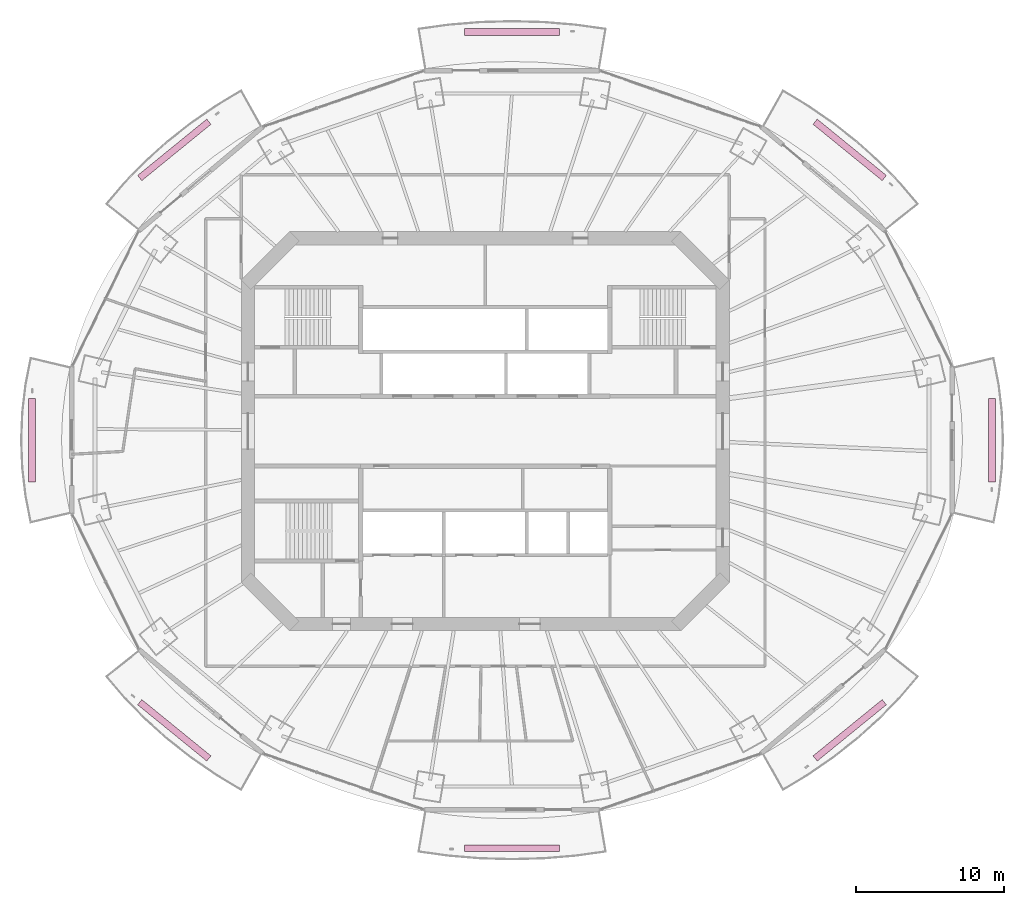
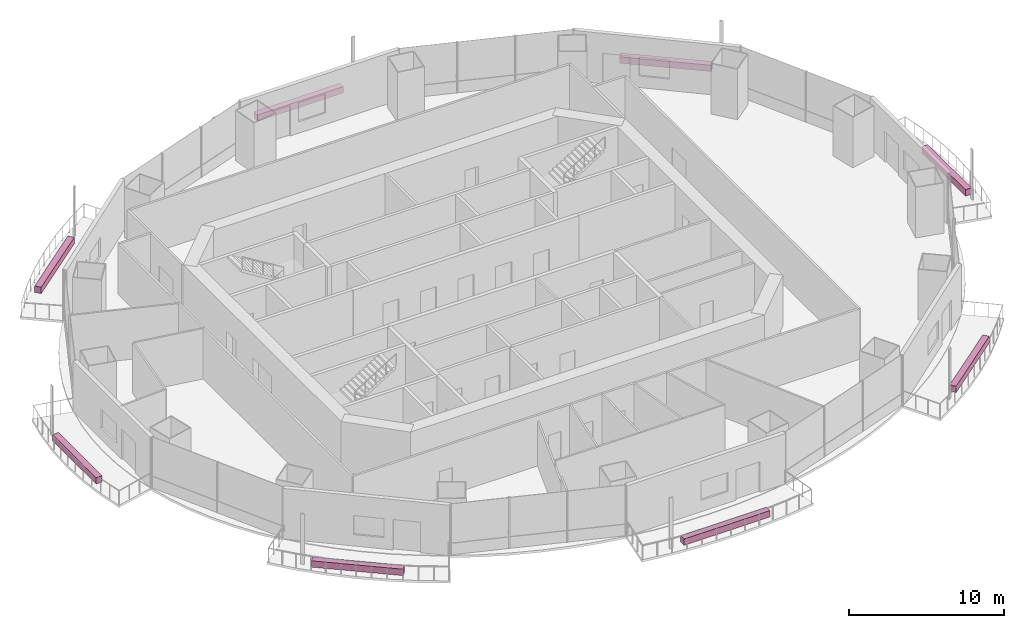
# One storey, part 19 of 19: 8 furnishings.
"""IFC4 building model written with IfcOpenShell, lengths in metres."""

import ifcopenshell
import ifcopenshell.guid

model = None  # the IFC model being written
_history = None  # IfcOwnerHistory: only IFC2X3 demands one
_inside = {}  # id of a spatial element -> (the spatial element, [elements in it])
_under = {}  # id of a project, library or spatial element -> (it, [spatial elements below it])
_declared = {}  # id of a project -> (the project, [libraries it declares])
_typed = {}  # id of a type object -> (the type object, [elements of that type])
_made_of = {}  # id of a material, layer set ... -> (it, [elements and type objects made of it])


def new_model(schema):
    """Start an empty IFC model of exactly this schema.

    Asked for "IFC4X3", IfcOpenShell would pick the latest addendum, in which some entities
    have other attributes; the version numbers below select the first issue.
    IFC2X3 requires an IfcOwnerHistory on every rooted entity: one is made here for all.
    """
    global model, _history
    if schema == "IFC4X3":
        model = ifcopenshell.file(schema_version=(4, 3, 0, 0))
    else:
        model = ifcopenshell.file(schema=schema)
    _inside.clear()
    _under.clear()
    _declared.clear()
    _typed.clear()
    _made_of.clear()
    _history = None
    if model.schema == "IFC2X3":
        org = make("IfcOrganization", Name="unknown")
        user = make(
            "IfcPersonAndOrganization",
            ThePerson=make("IfcPerson", FamilyName="unknown"),
            TheOrganization=org,
        )
        app = make(
            "IfcApplication",
            ApplicationDeveloper=org,
            Version="unknown",
            ApplicationFullName="unknown",
            ApplicationIdentifier="unknown",
        )
        _history = make(
            "IfcOwnerHistory",
            OwningUser=user,
            OwningApplication=app,
            ChangeAction="ADDED",
            CreationDate=0,
        )
    return model


def make(cls, **values):
    """One entity of the class cls with the attributes given. An attribute that is None is left unset."""
    return model.create_entity(
        cls, **{name: value for name, value in values.items() if value is not None}
    )


def rooted(cls, **values):
    """An entity with a GlobalId (a new one), such as an element, a storey or a relation."""
    return make(cls, GlobalId=ifcopenshell.guid.new(), OwnerHistory=_history, **values)


def si_unit(unit_type, name, prefix=None):
    """IfcSIUnit, for example si_unit("LENGTHUNIT", "METRE", prefix="MILLI")."""
    return make("IfcSIUnit", UnitType=unit_type, Prefix=prefix, Name=name)


def assignment(units):
    """IfcUnitAssignment: the units of a project."""
    return None if units is None else make("IfcUnitAssignment", Units=units)


def point(xyz):
    """IfcCartesianPoint."""
    return None if xyz is None else make("IfcCartesianPoint", Coordinates=xyz)


def direction(xyz):
    """IfcDirection."""
    return None if xyz is None else make("IfcDirection", DirectionRatios=xyz)


def frame(location, z_axis=None, x_axis=None):
    """IfcAxis2Placement3D, a coordinate frame: its origin and axes. An axis left out is left unset."""
    return make(
        "IfcAxis2Placement3D",
        Location=point(location),
        Axis=direction(z_axis),
        RefDirection=direction(x_axis),
    )


def frame_2d(location, x_axis=None):
    """IfcAxis2Placement2D, a coordinate frame in the plane: its origin and x axis."""
    return make(
        "IfcAxis2Placement2D", Location=point(location), RefDirection=direction(x_axis)
    )


def origin():
    """The frame at (0, 0, 0) with its axes left unset."""
    return frame((0.0, 0.0, 0.0))


def origin_2d():
    """The frame at (0, 0) in the plane with its x axis left unset."""
    return frame_2d((0.0, 0.0))


def place(relative_to, where):
    """IfcLocalPlacement: puts the frame where relative to a parent placement (None: the world)."""
    return make(
        "IfcLocalPlacement", PlacementRelTo=relative_to, RelativePlacement=where
    )


def context(
    kind, dimensions, precision=None, world=None, true_north=None, identifier=None
):
    """IfcGeometricRepresentationContext, for example the 3D "Model" context."""
    return make(
        "IfcGeometricRepresentationContext",
        ContextIdentifier=identifier,
        ContextType=kind,
        CoordinateSpaceDimension=dimensions,
        Precision=precision,
        WorldCoordinateSystem=world,
        TrueNorth=true_north,
    )


def subcontext(parent, identifier, kind, view, scale=None):
    """IfcGeometricRepresentationSubContext, for example "Body" below "Model"."""
    return make(
        "IfcGeometricRepresentationSubContext",
        ContextIdentifier=identifier,
        ContextType=kind,
        ParentContext=parent,
        TargetScale=scale,
        TargetView=view,
    )


def project(units=None, contexts=None):
    """IfcProject with its units and contexts."""
    return rooted(
        "IfcProject",
        Name="project",
        RepresentationContexts=contexts,
        UnitsInContext=assignment(units),
    )


def spatial(cls, under=None, at=None, **own):
    """A site, building, storey or space (cls), placed at a placement, below another one or the project."""
    s = rooted(cls, ObjectPlacement=at, **own)
    if under is not None:
        _under.setdefault(under.id(), (under, []))[1].append(s)
    return s


def profile(cls, at=None, kind="AREA", **sizes):
    """A parametric profile (cls). Its sizes go by their IFC names, for example OverallWidth=200.0."""
    return make(cls, ProfileType=kind, Position=at, **sizes)


def rectangle(**sizes):
    """IfcRectangleProfileDef."""
    return profile("IfcRectangleProfileDef", **sizes)


def extrude(swept, where, along, depth):
    """IfcExtrudedAreaSolid: the profile swept, set in the frame where, extruded along a direction by depth."""
    return make(
        "IfcExtrudedAreaSolid",
        SweptArea=swept,
        Position=where,
        ExtrudedDirection=direction(along),
        Depth=depth,
    )


def shape(context_of_items, identifier, shape_type, items):
    """IfcShapeRepresentation: the items that make up one representation, for example the "Body"."""
    return make(
        "IfcShapeRepresentation",
        ContextOfItems=context_of_items,
        RepresentationIdentifier=identifier,
        RepresentationType=shape_type,
        Items=items,
    )


def material(Name=None, Category=None):
    """IfcMaterial."""
    return make("IfcMaterial", Name=Name, Category=Category)


def made_of(thing, what):
    """Note that an element or type object is made of a material, layer set ...; save() writes the relation."""
    if what is not None:
        _made_of.setdefault(what.id(), (what, []))[1].append(thing)
    return thing


def type_object(cls, material=None, **own):
    """A type object (cls), such as IfcWallType, which elements share."""
    return made_of(rooted(cls, **own), material)


def element(
    cls,
    number,
    at=None,
    inside=None,
    cuts=None,
    type_object=None,
    material=None,
    context=None,
    identifier="Body",
    shape_type=None,
    held_by="IfcProductDefinitionShape",
    body=None,
    shapes=None,
    **own,
):
    """One element of the class cls, such as IfcWall. Its Tag is "e" and its number.

    at: its placement. inside: the storey or other place that contains it. cuts: it is an
    opening in that element (IfcRelVoidsElement). A single representation is given by context,
    identifier, shape_type and body (its items); several are given by shapes. held_by: the class
    of the entity that holds the representations. save() writes the other relations.
    """
    e = rooted(cls, Tag="e%d" % number, ObjectPlacement=at, **own)
    if body is not None:
        shapes = [shape(context, identifier, shape_type, body)]
    if shapes is not None:
        e.Representation = make(held_by, Representations=shapes)
    if inside is not None:
        _inside.setdefault(inside.id(), (inside, []))[1].append(e)
    if cuts is not None:
        rooted(
            "IfcRelVoidsElement", RelatingBuildingElement=cuts, RelatedOpeningElement=e
        )
    if type_object is not None:
        _typed.setdefault(type_object.id(), (type_object, []))[1].append(e)
    return made_of(e, material)


def aggregate(whole, parts):
    """IfcRelAggregates: a whole, such as a stair, and the parts it consists of."""
    return rooted("IfcRelAggregates", RelatingObject=whole, RelatedObjects=parts)


def save(model, path):
    """Write the relations noted so far, then the file.

    IfcRelAggregates (storeys below a building ...), IfcRelContainedInSpatialStructure (elements
    in a storey), IfcRelDefinesByType, IfcRelAssociatesMaterial and IfcRelDeclares: one each for
    every whole, place, type object, material and project.
    """
    for whole, parts in _under.values():
        aggregate(whole, parts)
    for where, things in _inside.values():
        rooted(
            "IfcRelContainedInSpatialStructure",
            RelatedElements=things,
            RelatingStructure=where,
        )
    for kind, things in _typed.values():
        rooted("IfcRelDefinesByType", RelatedObjects=things, RelatingType=kind)
    for what, things in _made_of.values():
        rooted("IfcRelAssociatesMaterial", RelatedObjects=things, RelatingMaterial=what)
    for by, libraries in _declared.values():
        rooted("IfcRelDeclares", RelatingContext=by, RelatedDefinitions=libraries)
    model.write(path)


model = new_model("IFC4")

# Units and contexts
model_context = context("Model", 3, precision=1e-05, world=origin(), true_north=direction((0.0, 1.0)))
body_context = subcontext(model_context, "Body", "Model", "MODEL_VIEW")
ifc_project = project(units=[si_unit("LENGTHUNIT", "METRE"), si_unit("AREAUNIT", "SQUARE_METRE"), si_unit("VOLUMEUNIT", "CUBIC_METRE"), si_unit("PLANEANGLEUNIT", "RADIAN"), si_unit("MASSUNIT", "GRAM", prefix="KILO")], contexts=[model_context])

# Site, building, storey
site_placement = place(None, origin())
site = spatial("IfcSite", under=ifc_project, at=site_placement, CompositionType="ELEMENT")
building_placement = place(site_placement, origin())
building = spatial("IfcBuilding", under=site, at=building_placement, Name="Marenthal Gate Tower", CompositionType="ELEMENT")
storey_placement = place(building_placement, frame((0.0, 0.0, 235.75)))
storey = spatial("IfcBuildingStorey", under=building, at=storey_placement, Name="L52", CompositionType="ELEMENT", Elevation=235.75)

# Furnishings
ifc_material = material(Name="Planting soil and foliage", Category="planting")
furnishing_element_type = type_object("IfcFurnishingElementType", Name="Balcony PLANTER trough", material=ifc_material)
furnishing_1_placement = place(storey_placement, frame((24.564453125, 18.964111328125, -0.0400390625), z_axis=(0.0, 0.0, 1.0), x_axis=(-0.775469286541, 0.631385290953, 0.0)))
element("IfcFurnishingElement", 1, at=furnishing_1_placement, inside=storey, type_object=furnishing_element_type, Name="Balcony PLANTER L52 bay 2", ObjectType="PLANTER", context=body_context, shape_type="SweptSolid", body=[
    extrude(rectangle(XDim=6.0107421875, YDim=0.449951171875, at=origin_2d()), origin(), (0.0, 0.0, 1.0), 0.5),
])
furnishing_2_placement = place(storey_placement, frame((1.800048828125, 26.9140625, -0.0400390625), z_axis=(0.0, 0.0, 1.0), x_axis=(-1.0, 0.0, 0.0)))
element("IfcFurnishingElement", 2, at=furnishing_2_placement, inside=storey, type_object=furnishing_element_type, Name="Balcony PLANTER L52 bay 4", ObjectType="PLANTER", context=body_context, shape_type="SweptSolid", body=[
    extrude(rectangle(XDim=6.385498046875, YDim=0.449951171875, at=origin_2d()), origin(), (0.0, 0.0, 1.0), 0.5),
])
furnishing_3_placement = place(storey_placement, frame((-20.964599609375, 18.964111328125, -0.0400390625), z_axis=(0.0, 0.0, 1.0), x_axis=(-0.775469286541, -0.631385290953, 0.0)))
element("IfcFurnishingElement", 3, at=furnishing_3_placement, inside=storey, type_object=furnishing_element_type, Name="Balcony PLANTER L52 bay 6", ObjectType="PLANTER", context=body_context, shape_type="SweptSolid", body=[
    extrude(rectangle(XDim=6.0107421875, YDim=0.449951171875, at=origin_2d()), origin(), (0.0, 0.0, 1.0), 0.5),
])
furnishing_4_placement = place(storey_placement, frame((-30.56005859375, -0.60009765625, -0.0400390625), z_axis=(0.0, 0.0, 1.0), x_axis=(0.0, -1.0, 0.0)))
element("IfcFurnishingElement", 4, at=furnishing_4_placement, inside=storey, type_object=furnishing_element_type, Name="Balcony PLANTER L52 bay 8", ObjectType="PLANTER", context=body_context, shape_type="SweptSolid", body=[
    extrude(rectangle(XDim=5.623291015625, YDim=0.449951171875, at=origin_2d()), origin(), (0.0, 0.0, 1.0), 0.5),
])
furnishing_5_placement = place(storey_placement, frame((-20.964599609375, -20.1640625, -0.0400390625), z_axis=(0.0, 0.0, 1.0), x_axis=(0.775469286541, -0.631385290953, 0.0)))
element("IfcFurnishingElement", 5, at=furnishing_5_placement, inside=storey, type_object=furnishing_element_type, Name="Balcony PLANTER L52 bay 10", ObjectType="PLANTER", context=body_context, shape_type="SweptSolid", body=[
    extrude(rectangle(XDim=6.0107421875, YDim=0.449951171875, at=origin_2d()), origin(), (0.0, 0.0, 1.0), 0.5),
])
furnishing_6_placement = place(storey_placement, frame((1.800048828125, -28.114013671875, -0.0400390625), z_axis=(0.0, 0.0, 1.0), x_axis=(1.0, 0.0, 0.0)))
element("IfcFurnishingElement", 6, at=furnishing_6_placement, inside=storey, type_object=furnishing_element_type, Name="Balcony PLANTER L52 bay 12", ObjectType="PLANTER", context=body_context, shape_type="SweptSolid", body=[
    extrude(rectangle(XDim=6.385498046875, YDim=0.449951171875, at=origin_2d()), origin(), (0.0, 0.0, 1.0), 0.5),
])
furnishing_7_placement = place(storey_placement, frame((24.564453125, -20.1640625, -0.0400390625), z_axis=(0.0, 0.0, 1.0), x_axis=(0.775469286541, 0.631385290953, 0.0)))
element("IfcFurnishingElement", 7, at=furnishing_7_placement, inside=storey, type_object=furnishing_element_type, Name="Balcony PLANTER L52 bay 14", ObjectType="PLANTER", context=body_context, shape_type="SweptSolid", body=[
    extrude(rectangle(XDim=6.0107421875, YDim=0.449951171875, at=origin_2d()), origin(), (0.0, 0.0, 1.0), 0.5),
])
furnishing_8_placement = place(storey_placement, frame((34.159912109375, -0.60009765625, -0.0400390625), z_axis=(0.0, 0.0, 1.0), x_axis=(0.0, 1.0, 0.0)))
element("IfcFurnishingElement", 8, at=furnishing_8_placement, inside=storey, type_object=furnishing_element_type, Name="Balcony PLANTER L52 bay 16", ObjectType="PLANTER", context=body_context, shape_type="SweptSolid", body=[
    extrude(rectangle(XDim=5.623291015625, YDim=0.449951171875, at=origin_2d()), origin(), (0.0, 0.0, 1.0), 0.5),
])

save(model, "model.ifc")
